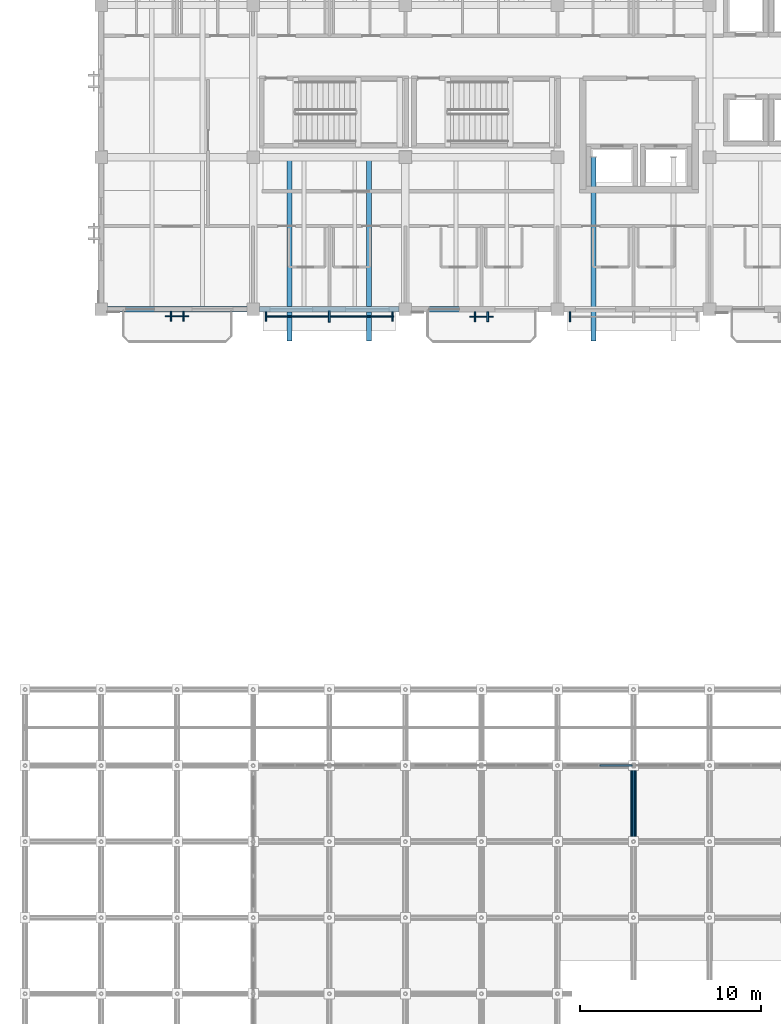
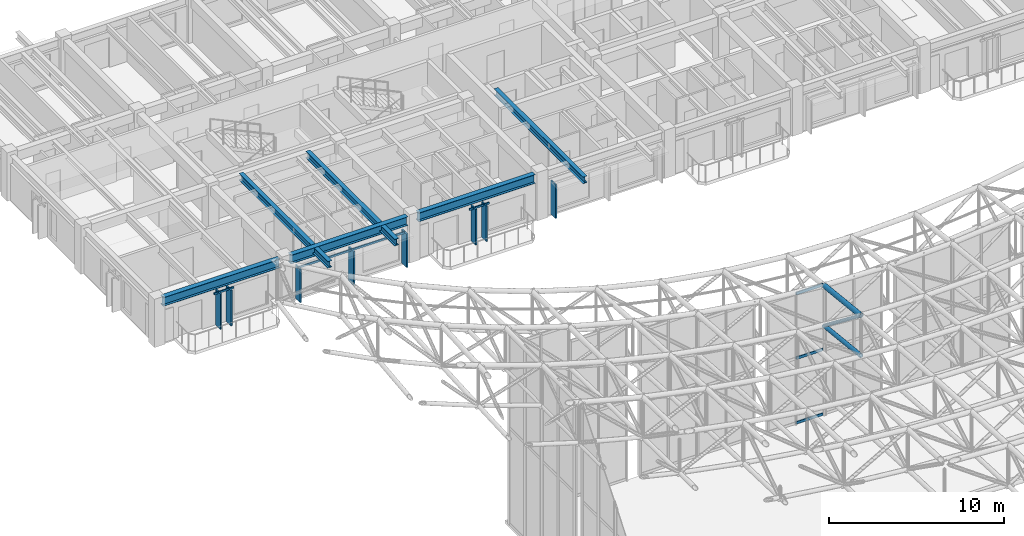
# One storey, part 49 of 93: 17 members, 6 beams, 5 elements without a shape of their own.
"""IFC4 building model written with IfcOpenShell, lengths in metres."""

from ifc_helpers import new_model, si_unit, direction, frame, origin, origin_2d, place, context, subcontext, project, spatial, rectangle, hollow_circle, i_section, extrude, material, material_profile, profile_set, type_object, element, aggregate, save


model = new_model("IFC4")

# Units and contexts
model_context = context("Model", 3, precision=1e-05, world=origin(), true_north=direction((0.0, 1.0)))
body_context = subcontext(model_context, "Body", "Model", "MODEL_VIEW")
ifc_project = project(units=[si_unit("LENGTHUNIT", "METRE"), si_unit("AREAUNIT", "SQUARE_METRE"), si_unit("VOLUMEUNIT", "CUBIC_METRE"), si_unit("PLANEANGLEUNIT", "RADIAN"), si_unit("MASSUNIT", "GRAM", prefix="KILO")], contexts=[model_context])

# Site, building, storey
site_placement = place(None, origin())
site = spatial("IfcSite", under=ifc_project, at=site_placement, CompositionType="ELEMENT")
building_placement = place(site_placement, origin())
building = spatial("IfcBuilding", under=site, at=building_placement, Name="Cumbredor Promenade Congress Hotel", CompositionType="ELEMENT")
storey_placement = place(building_placement, frame((0.0, 0.0, 21.840087890625)))
storey = spatial("IfcBuildingStorey", under=building, at=storey_placement, Name="L06", CompositionType="ELEMENT", Elevation=21.840087890625)

# Beams
ifc_material_1 = material(Name="Steel ASTM A992 Grade 50", Category="steel")
ifc_material_profile_1 = material_profile(ifc_material_1, i_section(OverallWidth=0.323974609375, OverallDepth=0.611083984375, WebThickness=0.0126953125, FlangeThickness=0.01904296875, at=origin_2d()), Name="W24X104")
ifc_profile_set_1 = profile_set([ifc_material_profile_1], Name="Steel ASTM A992 Grade 50")
beam_type_1 = type_object("IfcBeamType", Name="BM-W24X104", PredefinedType="BEAM", material=ifc_profile_set_1)
for number, where, z_axis, x_axis, name in (
    (1, (0.35009765625, 92.39990234375, 2.814453125), (1.0, 0.0, 0.0), (0.0, 1.0, 0.0), "L07 X-Grid Beam 001"),
    (2, (8.75, 92.39990234375, 2.814453125), (1.0, 0.0, 0.0), (0.0, 1.0, 0.0), "L07 X-Grid Beam 008"),
):
    element("IfcBeam", number, at=place(storey_placement, frame(where, z_axis=z_axis, x_axis=x_axis)), inside=storey, type_object=beam_type_1, Name=name, PredefinedType="BEAM", context=body_context, shape_type="SweptSolid", body=[
        extrude(i_section(OverallWidth=0.323974609375, OverallDepth=0.611083984375, WebThickness=0.0126953125, FlangeThickness=0.01904296875, at=origin_2d()), origin(), (0.0, 0.0, 1.0), 7.699951171875),
    ])
beam_placement = place(storey_placement, frame((17.14990234375, 92.39990234375, 2.814453125), z_axis=(1.0, 0.0, 0.0), x_axis=(0.0, 1.0, 0.0)))
element("IfcBeam", 3, at=beam_placement, inside=storey, type_object=beam_type_1, Name="L07 X-Grid Beam 015", PredefinedType="BEAM", context=body_context, shape_type="SweptSolid", body=[
    extrude(i_section(OverallWidth=0.323974609375, OverallDepth=0.611083984375, WebThickness=0.0126953125, FlangeThickness=0.01904296875, at=origin_2d()), origin(), (0.0, 0.0, 1.0), 7.7001953125),
])

# Curtain wall, member
ifc_material_2 = material(Name="Thermally broken anodized aluminium and low-E glass", Category="aluminium")
curtain_wall_type_1 = type_object("IfcCurtainWallType", Name="Solar Brise-Soleil Screen Assembly CW-07", PredefinedType="NOTDEFINED", material=ifc_material_2)
curtain_wall_1_placement = place(storey_placement, origin())
curtain_wall_1 = element("IfcCurtainWall", 4, at=curtain_wall_1_placement, inside=storey, type_object=curtain_wall_type_1, Name="L06 Veranda Solar Brise-Soleil Screen 922", PredefinedType="NOTDEFINED")
ifc_material_3 = material(Name="Thermally broken anodized aluminium", Category="aluminium")
ifc_material_profile_2 = material_profile(ifc_material_3, rectangle(XDim=0.06494140625, YDim=0.1298828125, at=origin_2d()), Name="ALU TRANSOM 65x130")
ifc_profile_set_2 = profile_set([ifc_material_profile_2], Name="Thermally broken anodized aluminium")
member_type_1 = type_object("IfcMemberType", Name="Curtain Wall Transom TR-01", PredefinedType="USERDEFINED", material=ifc_profile_set_2)
member_1_placement = place(storey_placement, frame((3.550048828125, 92.010009765625, 2.413818359375), z_axis=(1.0, 0.0, 0.0), x_axis=(0.0, 1.0, 0.0)))
member_1 = element("IfcMember", 5, at=member_1_placement, type_object=member_type_1, Name="L06 Brise-Soleil Header Tie 0924", ObjectType="TRANSOM", PredefinedType="USERDEFINED", context=body_context, shape_type="SweptSolid", body=[
    extrude(rectangle(XDim=0.06494140625, YDim=0.1298828125, at=origin_2d()), origin(), (0.0, 0.0, 1.0), 1.300048828125),
])

curtain_wall_2_placement = place(storey_placement, origin())
curtain_wall_2 = element("IfcCurtainWall", 6, at=curtain_wall_2_placement, inside=storey, type_object=curtain_wall_type_1, Name="L06 Hospitality Brise-Soleil Screen 088", PredefinedType="NOTDEFINED")
member_2_placement = place(storey_placement, frame((9.051025390625, 92.0, 2.31396484375), z_axis=(1.0, 0.0, 0.0), x_axis=(0.0, 1.0, 0.0)))
member_2 = element("IfcMember", 7, at=member_2_placement, type_object=member_type_1, Name="L06 Brise-Soleil Screen Transom 088", ObjectType="TRANSOM", PredefinedType="USERDEFINED", context=body_context, shape_type="SweptSolid", body=[
    extrude(rectangle(XDim=0.06494140625, YDim=0.1298828125, at=origin_2d()), origin(), (0.0, 0.0, 1.0), 7.097900390625),
])

curtain_wall_3_placement = place(storey_placement, origin())
curtain_wall_3 = element("IfcCurtainWall", 8, at=curtain_wall_3_placement, inside=storey, type_object=curtain_wall_type_1, Name="L06 Veranda Solar Brise-Soleil Screen 928", PredefinedType="NOTDEFINED")
member_3_placement = place(storey_placement, frame((20.35009765625, 91.989990234375, 2.413818359375), z_axis=(1.0, 0.0, 0.0), x_axis=(0.0, 1.0, 0.0)))
member_3 = element("IfcMember", 9, at=member_3_placement, type_object=member_type_1, Name="L06 Brise-Soleil Header Tie 0930", ObjectType="TRANSOM", PredefinedType="USERDEFINED", context=body_context, shape_type="SweptSolid", body=[
    extrude(rectangle(XDim=0.06494140625, YDim=0.1298828125, at=origin_2d()), origin(), (0.0, 0.0, 1.0), 1.2998046875),
])

# Curtain wall, members
curtain_wall_type_2 = type_object("IfcCurtainWallType", Name="Stepped Pavilion Clerestory Curtain Wall CW-06", PredefinedType="NOTDEFINED", material=ifc_material_2)
curtain_wall_4_placement = place(storey_placement, origin())
curtain_wall_4 = element("IfcCurtainWall", 10, at=curtain_wall_4_placement, inside=storey, type_object=curtain_wall_type_2, Name="Plenary Congress Hall N Glazed Clerestory 5", PredefinedType="NOTDEFINED")
ifc_material_profile_3 = material_profile(ifc_material_3, rectangle(XDim=0.080078125, YDim=0.179931640625, at=origin_2d()), Name="ALU TRANSOM 80x180")
ifc_profile_set_3 = profile_set([ifc_material_profile_3], Name="Thermally broken anodized aluminium")
member_type_2 = type_object("IfcMemberType", Name="Curtain Wall Transom TR-03", PredefinedType="USERDEFINED", material=ifc_profile_set_3)
member_4_placement = place(storey_placement, frame((27.54248046875, 67.199951171875, 0.079833984375), z_axis=(1.0, 0.0, 0.0), x_axis=(0.0, 1.0, 0.0)))
member_4 = element("IfcMember", 11, at=member_4_placement, type_object=member_type_2, Name="Plenary Congress Hall N Glazed Clerestory 5 Transom 2.1", ObjectType="TRANSOM", PredefinedType="USERDEFINED", context=body_context, shape_type="SweptSolid", body=[
    extrude(rectangle(XDim=0.080078125, YDim=0.179931640625, at=origin_2d()), origin(), (0.0, 0.0, 1.0), 1.77490234375),
])
member_5_placement = place(storey_placement, frame((27.54248046875, 67.199951171875, 4.579833984375), z_axis=(1.0, 0.0, 0.0), x_axis=(0.0, 1.0, 0.0)))
member_5 = element("IfcMember", 12, at=member_5_placement, type_object=member_type_2, Name="Plenary Congress Hall N Glazed Clerestory 5 Transom 2.2", ObjectType="TRANSOM", PredefinedType="USERDEFINED", context=body_context, shape_type="SweptSolid", body=[
    extrude(rectangle(XDim=0.080078125, YDim=0.179931640625, at=origin_2d()), origin(), (0.0, 0.0, 1.0), 1.77490234375),
])
member_6_placement = place(storey_placement, frame((27.54248046875, 67.199951171875, 9.079833984375), z_axis=(1.0, 0.0, 0.0), x_axis=(0.0, 1.0, 0.0)))
member_6 = element("IfcMember", 13, at=member_6_placement, type_object=member_type_2, Name="Plenary Congress Hall N Glazed Clerestory 5 Transom 2.3", ObjectType="TRANSOM", PredefinedType="USERDEFINED", context=body_context, shape_type="SweptSolid", body=[
    extrude(rectangle(XDim=0.080078125, YDim=0.179931640625, at=origin_2d()), origin(), (0.0, 0.0, 1.0), 1.77490234375),
])
aggregate(curtain_wall_4, [member_4, member_5, member_6])

# Beams
ifc_material_profile_4 = material_profile(ifc_material_1, i_section(OverallWidth=0.280029296875, OverallDepth=0.462890625, WebThickness=0.0107421875, FlangeThickness=0.017333984375, at=origin_2d()), Name="W18X76")
ifc_profile_set_4 = profile_set([ifc_material_profile_4], Name="Steel ASTM A992 Grade 50")
beam_type_2 = type_object("IfcBeamType", Name="JST-W18X76", PredefinedType="JOIST", material=ifc_profile_set_4)
for number, where, z_axis, x_axis, name in (
    (14, (10.39990234375, 90.64990234375, 2.888427734375), (0.0, 1.0, 0.0), (-1.0, 0.0, 0.0), "L07 Balcony Back-Spanned Outrigger Beam 045.1"),
    (15, (14.800048828125, 90.64990234375, 2.888427734375), (0.0, 1.0, 0.0), (-1.0, 0.0, 0.0), "L07 Balcony Back-Spanned Outrigger Beam 045.2"),
    (16, (27.199951171875, 90.64990234375, 2.888427734375), (0.0, 1.0, 0.0), (-1.0, 0.0, 0.0), "L07 Balcony Back-Spanned Outrigger Beam 046.1"),
):
    element("IfcBeam", number, at=place(storey_placement, frame(where, z_axis=z_axis, x_axis=x_axis)), inside=storey, type_object=beam_type_2, Name=name, PredefinedType="JOIST", context=body_context, shape_type="SweptSolid", body=[
        extrude(i_section(OverallWidth=0.280029296875, OverallDepth=0.462890625, WebThickness=0.0107421875, FlangeThickness=0.017333984375, at=origin_2d()), origin(), (0.0, 0.0, 1.0), 10.150146484375),
    ])

# Members
ifc_material_4 = material(Name="Steel ASTM A500 Grade C", Category="steel")
ifc_material_profile_5 = material_profile(ifc_material_4, hollow_circle(Radius=0.136474609375, WallThickness=0.01611328125, at=origin_2d()), Name="CHS 273.0x16")
ifc_profile_set_5 = profile_set([ifc_material_profile_5], Name="Steel ASTM A500 Grade C")
member_type_3 = type_object("IfcMemberType", Name="Plenary Roof Space Frame Bottom Chord", PredefinedType="CHORD", material=ifc_profile_set_5)
member_7_placement = place(storey_placement, frame((29.39990234375, 63.0, 6.64599609375), z_axis=(0.0, 0.994279597803, -0.1068086204), x_axis=(-1.0, 0.0, 0.0)))
element("IfcMember", 17, at=member_7_placement, inside=storey, type_object=member_type_3, Name="Plenary Congress Hall Y Bottom Chord 9.16", PredefinedType="CHORD", context=body_context, shape_type="SweptSolid", body=[
    extrude(hollow_circle(Radius=0.136474609375, WallThickness=0.01611328125, at=origin_2d()), origin(), (0.0, 0.0, 1.0), 4.22412109375),
])
ifc_material_profile_6 = material_profile(ifc_material_4, hollow_circle(Radius=0.161865234375, WallThickness=0.01611328125, at=origin_2d()), Name="CHS 323.9x16")
ifc_profile_set_6 = profile_set([ifc_material_profile_6], Name="Steel ASTM A500 Grade C")
member_type_4 = type_object("IfcMemberType", Name="Plenary Roof Space Frame Top Chord", PredefinedType="CHORD", material=ifc_profile_set_6)
member_8_placement = place(storey_placement, frame((29.39990234375, 63.0, 9.446044921875), z_axis=(0.0, 0.994273458309, -0.106865757392), x_axis=(-1.0, 0.0, 0.0)))
element("IfcMember", 18, at=member_8_placement, inside=storey, type_object=member_type_4, Name="Plenary Congress Hall Y Top Chord 9.16", PredefinedType="CHORD", context=body_context, shape_type="SweptSolid", body=[
    extrude(hollow_circle(Radius=0.161865234375, WallThickness=0.01611328125, at=origin_2d()), origin(), (0.0, 0.0, 1.0), 4.22412109375),
])
ifc_material_profile_7 = material_profile(ifc_material_4, hollow_circle(Radius=0.109619140625, WallThickness=0.012451171875, at=origin_2d()), Name="CHS 219.1x12.5")
ifc_profile_set_7 = profile_set([ifc_material_profile_7], Name="Steel ASTM A500 Grade C")
member_type_5 = type_object("IfcMemberType", Name="Space Frame Web Diagonal D1", PredefinedType="BRACE", material=ifc_profile_set_7)
member_9_placement = place(storey_placement, frame((29.39990234375, 63.0, 9.446044921875), z_axis=(0.0, 0.790756005448, -0.612131472682), x_axis=(-1.0, 0.0, 0.0)))
element("IfcMember", 19, at=member_9_placement, inside=storey, type_object=member_type_5, Name="Plenary Congress Hall Y Web Diagonal 9.16", PredefinedType="BRACE", context=body_context, shape_type="SweptSolid", body=[
    extrude(hollow_circle(Radius=0.109619140625, WallThickness=0.012451171875, at=origin_2d()), origin(), (0.0, 0.0, 1.0), 5.311279296875),
])

# Member
ifc_material_profile_8 = material_profile(ifc_material_3, rectangle(XDim=0.110107421875, YDim=0.6201171875, at=origin_2d()), Name="ARCH FIN 110x620")
ifc_profile_set_8 = profile_set([ifc_material_profile_8], Name="Thermally broken anodized aluminium")
member_type_6 = type_object("IfcMemberType", Name="Vertical Bronze Brise-Soleil Fin BSF-02 110x620", PredefinedType="USERDEFINED", material=ifc_profile_set_8)
member_10_placement = place(storey_placement, frame((12.60009765625, 92.0, 0.02001953125), z_axis=(0.0, 0.0, 1.0), x_axis=(1.0, 0.0, 0.0)))
member_10 = element("IfcMember", 20, at=member_10_placement, type_object=member_type_6, Name="L06 Vertical Brise-Soleil Fin 0926", ObjectType="SOLAR FIN", PredefinedType="USERDEFINED", context=body_context, shape_type="SweptSolid", body=[
    extrude(rectangle(XDim=0.110107421875, YDim=0.6201171875, at=origin_2d()), origin(), (0.0, 0.0, 1.0), 2.35400390625),
])

ifc_material_5 = material(Name="Kiln-dried tropical hardwood", Category="wood")
ifc_material_profile_9 = material_profile(ifc_material_5, rectangle(XDim=0.090087890625, YDim=0.550048828125, at=origin_2d()), Name="ARCH FIN 90x550")
ifc_profile_set_9 = profile_set([ifc_material_profile_9], Name="Kiln-dried tropical hardwood")
member_type_7 = type_object("IfcMemberType", Name="Vertical Hardwood Brise-Soleil Fin BSF-01 90x550", PredefinedType="USERDEFINED", material=ifc_profile_set_9)
member_11_placement = place(storey_placement, frame((3.85009765625, 92.010009765625, -0.010009765625), z_axis=(0.0, 0.0, 1.0), x_axis=(1.0, 0.0, 0.0)))
member_11 = element("IfcMember", 21, at=member_11_placement, type_object=member_type_7, Name="L06 Vertical Hardwood Brise-Soleil Fin 0923", ObjectType="SOLAR FIN", PredefinedType="USERDEFINED", context=body_context, shape_type="SweptSolid", body=[
    extrude(rectangle(XDim=0.090087890625, YDim=0.550048828125, at=origin_2d()), origin(), (0.0, 0.0, 1.0), 2.48388671875),
])

member_12_placement = place(storey_placement, frame((4.550048828125, 92.010009765625, -0.010009765625), z_axis=(0.0, 0.0, 1.0), x_axis=(1.0, 0.0, 0.0)))
member_12 = element("IfcMember", 22, at=member_12_placement, type_object=member_type_7, Name="L06 Vertical Hardwood Brise-Soleil Fin 0924", ObjectType="SOLAR FIN", PredefinedType="USERDEFINED", context=body_context, shape_type="SweptSolid", body=[
    extrude(rectangle(XDim=0.090087890625, YDim=0.550048828125, at=origin_2d()), origin(), (0.0, 0.0, 1.0), 2.48388671875),
])

aggregate(curtain_wall_1, [member_11, member_12, member_1])

member_13_placement = place(storey_placement, frame((9.10107421875, 92.0, 0.02001953125), z_axis=(0.0, 0.0, 1.0), x_axis=(1.0, 0.0, 0.0)))
member_13 = element("IfcMember", 23, at=member_13_placement, type_object=member_type_7, Name="L06 Vertical Brise-Soleil Fin 0925", ObjectType="SOLAR FIN", PredefinedType="USERDEFINED", context=body_context, shape_type="SweptSolid", body=[
    extrude(rectangle(XDim=0.090087890625, YDim=0.550048828125, at=origin_2d()), origin(), (0.0, 0.0, 1.0), 2.35400390625),
])

member_14_placement = place(storey_placement, frame((16.09912109375, 92.0, 0.02001953125), z_axis=(0.0, 0.0, 1.0), x_axis=(1.0, 0.0, 0.0)))
member_14 = element("IfcMember", 24, at=member_14_placement, type_object=member_type_7, Name="L06 Vertical Brise-Soleil Fin 0927", ObjectType="SOLAR FIN", PredefinedType="USERDEFINED", context=body_context, shape_type="SweptSolid", body=[
    extrude(rectangle(XDim=0.090087890625, YDim=0.550048828125, at=origin_2d()), origin(), (0.0, 0.0, 1.0), 2.35400390625),
])

aggregate(curtain_wall_2, [member_2, member_13, member_10, member_14])

member_15_placement = place(storey_placement, frame((20.64990234375, 91.989990234375, -0.010009765625), z_axis=(0.0, 0.0, 1.0), x_axis=(1.0, 0.0, 0.0)))
member_15 = element("IfcMember", 25, at=member_15_placement, type_object=member_type_7, Name="L06 Vertical Hardwood Brise-Soleil Fin 0929", ObjectType="SOLAR FIN", PredefinedType="USERDEFINED", context=body_context, shape_type="SweptSolid", body=[
    extrude(rectangle(XDim=0.090087890625, YDim=0.550048828125, at=origin_2d()), origin(), (0.0, 0.0, 1.0), 2.48388671875),
])

member_16_placement = place(storey_placement, frame((21.35009765625, 91.989990234375, -0.010009765625), z_axis=(0.0, 0.0, 1.0), x_axis=(1.0, 0.0, 0.0)))
member_16 = element("IfcMember", 26, at=member_16_placement, type_object=member_type_7, Name="L06 Vertical Hardwood Brise-Soleil Fin 0930", ObjectType="SOLAR FIN", PredefinedType="USERDEFINED", context=body_context, shape_type="SweptSolid", body=[
    extrude(rectangle(XDim=0.090087890625, YDim=0.550048828125, at=origin_2d()), origin(), (0.0, 0.0, 1.0), 2.48388671875),
])

aggregate(curtain_wall_3, [member_15, member_16, member_3])

# Curtain wall, member
curtain_wall_5_placement = place(storey_placement, origin())
curtain_wall_5 = element("IfcCurtainWall", 27, at=curtain_wall_5_placement, inside=storey, type_object=curtain_wall_type_1, Name="L06 Hospitality Brise-Soleil Screen 089", PredefinedType="NOTDEFINED")
member_17_placement = place(storey_placement, frame((25.90087890625, 91.9775390625, 0.02001953125), z_axis=(0.0, 0.0, 1.0), x_axis=(1.0, 0.0, 0.0)))
member_17 = element("IfcMember", 28, at=member_17_placement, type_object=member_type_7, Name="L06 Vertical Brise-Soleil Fin 0931", ObjectType="SOLAR FIN", PredefinedType="USERDEFINED", context=body_context, shape_type="SweptSolid", body=[
    extrude(rectangle(XDim=0.090087890625, YDim=0.550048828125, at=origin_2d()), origin(), (0.0, 0.0, 1.0), 2.35400390625),
])
aggregate(curtain_wall_5, [member_17])

save(model, "model.ifc")
